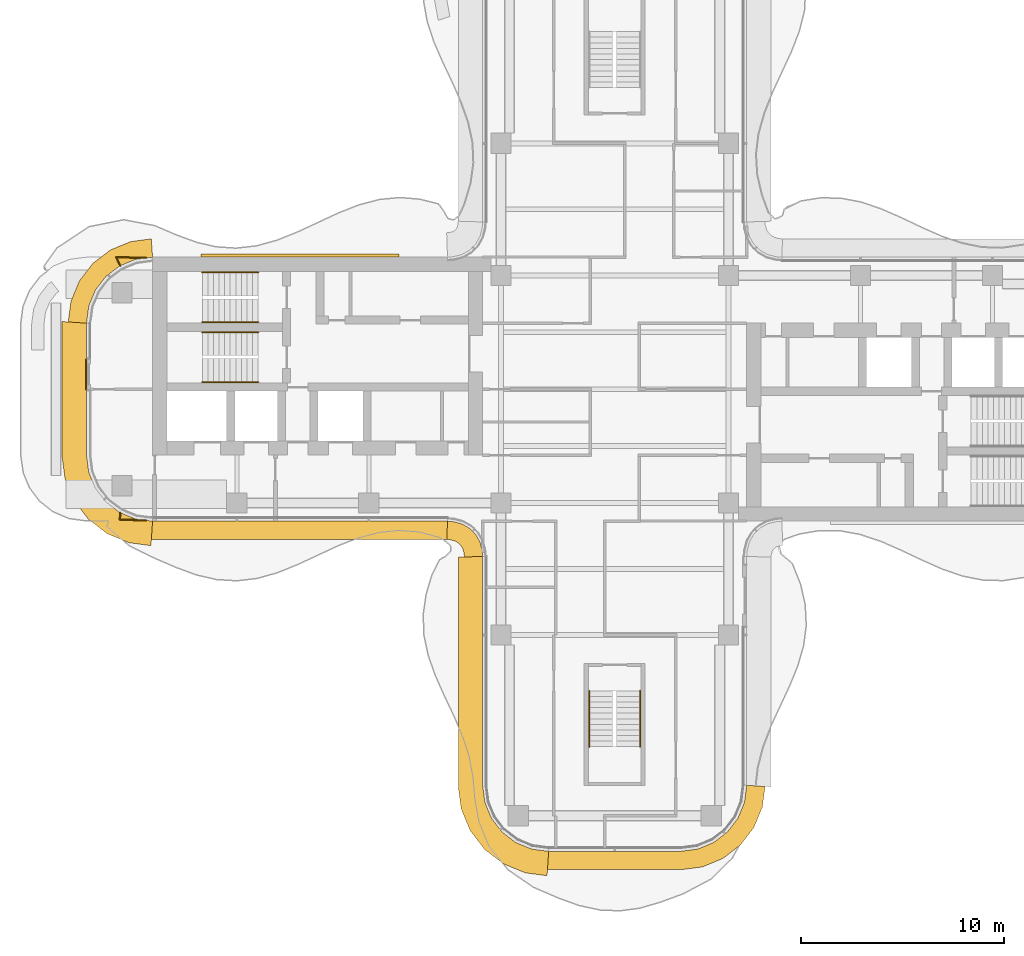
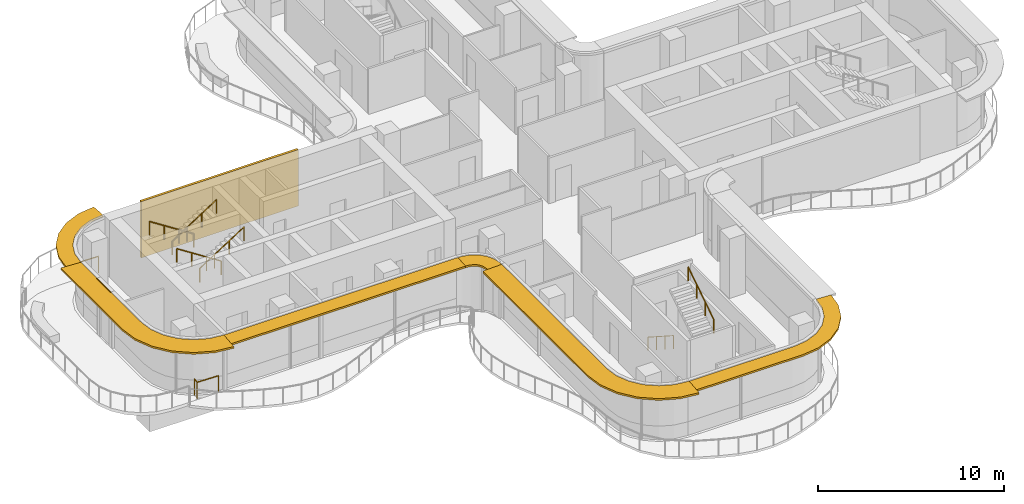
# One storey, part 16 of 17: 8 railings, 6 shading devices, 2 coverings.
"""IFC4 building model written with IfcOpenShell, lengths in metres."""

from ifc_helpers import new_model, si_unit, direction, frame, origin, origin_2d, place, context, subcontext, project, spatial, polyline, rectangle, circle, outline, extrude, source, transform, mapped, material, layer, layer_set, type_object, element, save


model = new_model("IFC4")

# Units and contexts
model_context = context("Model", 3, precision=1e-05, world=origin(), true_north=direction((0.0, 1.0)))
body_context = subcontext(model_context, "Body", "Model", "MODEL_VIEW")
ifc_project = project(units=[si_unit("LENGTHUNIT", "METRE"), si_unit("AREAUNIT", "SQUARE_METRE"), si_unit("VOLUMEUNIT", "CUBIC_METRE"), si_unit("PLANEANGLEUNIT", "RADIAN"), si_unit("MASSUNIT", "GRAM", prefix="KILO")], contexts=[model_context])

# Site, building, storey
site_placement = place(None, origin())
site = spatial("IfcSite", under=ifc_project, at=site_placement, CompositionType="ELEMENT")
building_placement = place(site_placement, origin())
building = spatial("IfcBuilding", under=site, at=building_placement, Name="Trellis Farm Tower", CompositionType="ELEMENT")
storey_placement = place(building_placement, frame((0.0, 0.0, 279.39990234375)))
storey = spatial("IfcBuildingStorey", under=building, at=storey_placement, Name="L62", CompositionType="ELEMENT", Elevation=279.39990234375)

# Covering
ifc_material_1 = material(Name="Sandstone", Category="masonry")
ifc_layer_1 = layer(ifc_material_1, 0.050048828125)
ifc_layer_set_1 = layer_set([ifc_layer_1], Name="STONE CLADDING PANEL")
covering_type_1 = type_object("IfcCoveringType", Name="STONE CLADDING PANEL", PredefinedType="CLADDING", material=ifc_layer_set_1)
covering_1_placement = place(storey_placement, frame((0.0, 0.0, 2.400146484375)))
element("IfcCovering", 1, at=covering_1_placement, inside=storey, type_object=covering_type_1, Name="CD1 02", PredefinedType="CLADDING", context=body_context, shape_type="SweptSolid", body=[
    extrude(outline(polyline([(-26.050048828125, 1.47998046875), (-26.050048828125, -0.02001953125), (-26.0, -0.02001953125), (-26.0, 1.47998046875), (-26.050048828125, 1.47998046875)])), origin(), (0.0, 0.0, 1.0), 1.300048828125),
])

# Railings
ifc_material_2 = material(Name="Stainless steel", Category="steel")
railing_type_1 = type_object("IfcRailingType", Name="STAIR HANDRAIL 900", PredefinedType="HANDRAIL", material=ifc_material_2)
shared_shape_1 = source(origin(), body_context, "Body", "SweptSolid", [
    extrude(circle(Radius=0.02392578125, at=origin_2d()), frame((0.0, 0.0, 0.8759765625), z_axis=(0.0, 0.840503830235, 0.541805602924), x_axis=(-1.0, 0.0, 0.0)), (0.0, 0.0, 1.0), 3.271728515625),
    extrude(circle(Radius=0.02099609375, at=origin_2d()), origin(), (0.0, 0.0, 1.0), 0.851806640625),
    extrude(circle(Radius=0.02099609375, at=origin_2d()), frame((0.0, 0.916748046875, 0.5908203125)), (0.0, 0.0, 1.0), 0.851806640625),
    extrude(circle(Radius=0.02099609375, at=origin_2d()), frame((0.0, 1.833251953125, 1.181884765625)), (0.0, 0.0, 1.0), 0.851806640625),
    extrude(circle(Radius=0.02099609375, at=origin_2d()), frame((0.0, 2.75, 1.772705078125)), (0.0, 0.0, 1.0), 0.851806640625),
])
railing_1_placement = place(storey_placement, frame((1.25, -17.60009765625, 2.12744140625)))
element("IfcRailing", 2, at=railing_1_placement, inside=storey, type_object=railing_type_1, Name="Stair handrail", PredefinedType="HANDRAIL", context=body_context, shape_type="MappedRepresentation", body=[
    mapped(shared_shape_1, transform((0.0, 0.0, 0.0))),
])
shared_shape_2 = source(origin(), body_context, "Body", "SweptSolid", [
    extrude(circle(Radius=0.02392578125, at=origin_2d()), frame((0.0, 0.0, 0.8759765625), z_axis=(0.0, -0.840503830235, 0.541805602924), x_axis=(1.0, 0.0, 0.0)), (0.0, 0.0, 1.0), 3.271728515625),
    extrude(circle(Radius=0.02099609375, at=origin_2d()), origin(), (0.0, 0.0, 1.0), 0.851806640625),
    extrude(circle(Radius=0.02099609375, at=origin_2d()), frame((0.0, -0.916748046875, 0.5908203125)), (0.0, 0.0, 1.0), 0.851806640625),
    extrude(circle(Radius=0.02099609375, at=origin_2d()), frame((0.0, -1.833251953125, 1.181884765625)), (0.0, 0.0, 1.0), 0.851806640625),
    extrude(circle(Radius=0.02099609375, at=origin_2d()), frame((0.0, -2.75, 1.772705078125)), (0.0, 0.0, 1.0), 0.851806640625),
])
railing_2_placement = place(storey_placement, frame((-1.25, -14.85009765625, 0.177490234375)))
element("IfcRailing", 3, at=railing_2_placement, inside=storey, type_object=railing_type_1, Name="Stair handrail", PredefinedType="HANDRAIL", context=body_context, shape_type="MappedRepresentation", body=[
    mapped(shared_shape_2, transform((0.0, 0.0, 0.0))),
])
shared_shape_3 = source(origin(), body_context, "Body", "SweptSolid", [
    extrude(circle(Radius=0.02392578125, at=origin_2d()), frame((0.0, 0.0, 0.8759765625), z_axis=(0.840503830235, 0.0, 0.541805602924), x_axis=(0.0, 1.0, 0.0)), (0.0, 0.0, 1.0), 3.271728515625),
    extrude(circle(Radius=0.02099609375, at=origin_2d()), origin(), (0.0, 0.0, 1.0), 0.851806640625),
    extrude(circle(Radius=0.02099609375, at=origin_2d()), frame((0.916748046875, 0.0, 0.5908203125)), (0.0, 0.0, 1.0), 0.851806640625),
    extrude(circle(Radius=0.02099609375, at=origin_2d()), frame((1.833251953125, 0.0, 1.181884765625)), (0.0, 0.0, 1.0), 0.851806640625),
    extrude(circle(Radius=0.02099609375, at=origin_2d()), frame((2.75, 0.0, 1.772705078125)), (0.0, 0.0, 1.0), 0.851806640625),
])
for number, where, name in (
    (4, (-20.300048828125, 3.300048828125, 2.12744140625), "Stair handrail"),
    (5, (-20.300048828125, 0.35009765625, 2.12744140625), "Stair handrail"),
):
    element("IfcRailing", number, at=place(storey_placement, frame(where)), inside=storey, type_object=railing_type_1, Name=name, PredefinedType="HANDRAIL", context=body_context, shape_type="MappedRepresentation", body=[
        mapped(shared_shape_3, transform((0.0, 0.0, 0.0))),
    ])
shared_shape_4 = source(origin(), body_context, "Body", "SweptSolid", [
    extrude(circle(Radius=0.02392578125, at=origin_2d()), frame((0.0, 0.0, 0.8759765625), z_axis=(-0.840503830235, 0.0, 0.541805602924), x_axis=(0.0, -1.0, 0.0)), (0.0, 0.0, 1.0), 3.271728515625),
    extrude(circle(Radius=0.02099609375, at=origin_2d()), origin(), (0.0, 0.0, 1.0), 0.851806640625),
    extrude(circle(Radius=0.02099609375, at=origin_2d()), frame((-0.916748046875, 0.0, 0.5908203125)), (0.0, 0.0, 1.0), 0.851806640625),
    extrude(circle(Radius=0.02099609375, at=origin_2d()), frame((-1.833251953125, 0.0, 1.181884765625)), (0.0, 0.0, 1.0), 0.851806640625),
    extrude(circle(Radius=0.02099609375, at=origin_2d()), frame((-2.75, 0.0, 1.772705078125)), (0.0, 0.0, 1.0), 0.851806640625),
])
for number, where, name in (
    (6, (-17.550048828125, 5.75, 0.177490234375), "Stair handrail"),
    (7, (-17.550048828125, 2.800048828125, 0.177490234375), "Stair handrail"),
):
    element("IfcRailing", number, at=place(storey_placement, frame(where)), inside=storey, type_object=railing_type_1, Name=name, PredefinedType="HANDRAIL", context=body_context, shape_type="MappedRepresentation", body=[
        mapped(shared_shape_4, transform((0.0, 0.0, 0.0))),
    ])

# Shading devices
ifc_material_3 = material(Name="Aluminium extrusion 6063-T6", Category="aluminium")
ifc_layer_2 = layer(ifc_material_3, 0.1201171875)
ifc_layer_set_2 = layer_set([ifc_layer_2], Name="SUNSHADE BLADE 900")
shading_device_type_1 = type_object("IfcShadingDeviceType", Name="SUNSHADE BLADE 900", PredefinedType="USERDEFINED", material=ifc_layer_set_2)
shared_shape_5 = source(origin(), body_context, "Body", "SweptSolid", [
    extrude(outline(polyline([(-8.2607421875, -7.39990234375), (-8.107666015625, -7.409912109375), (-8.091552734375, -7.412109375), (-7.85595703125, -7.475341796875), (-7.697021484375, -7.567138671875), (-7.567138671875, -7.697021484375), (-7.475341796875, -7.85595703125), (-7.412109375, -8.091552734375), (-7.409912109375, -8.107666015625), (-7.39990234375, -8.2607421875), (-6.5, -8.2314453125), (-6.513916015625, -8.01953125), (-6.527587890625, -7.91552734375), (-6.63671875, -7.508544921875), (-6.846923828125, -7.144287109375), (-7.144287109375, -6.846923828125), (-7.508544921875, -6.63671875), (-7.91552734375, -6.527587890625), (-8.01953125, -6.513916015625), (-8.2314453125, -6.5), (-8.2607421875, -7.39990234375)])), origin(), (0.0, 0.0, 1.0), 0.1201171875),
])
placement = place(storey_placement, frame((0.0, 0.0, 3.5400390625)))
element("IfcShadingDevice", 8, at=placement, inside=storey, type_object=shading_device_type_1, Name="SD1 002", ObjectType="SUNSHADE", PredefinedType="USERDEFINED", context=body_context, shape_type="MappedRepresentation", body=[
    mapped(shared_shape_5, transform((0.0, 0.0, 0.0))),
])
ifc_layer_3 = layer(ifc_material_3, 0.1201171875)
ifc_layer_set_3 = layer_set([ifc_layer_3], Name="SUNSHADE BLADE 1200")
shading_device_type_2 = type_object("IfcShadingDeviceType", Name="SUNSHADE BLADE 1200", PredefinedType="USERDEFINED", material=ifc_layer_set_3)
shared_shape_6 = source(origin(), body_context, "Body", "SweptSolid", [
    extrude(outline(polyline([(-7.699951171875, -8.270751953125), (-7.699951171875, -19.57861328125), (-7.558349609375, -20.654541015625), (-7.11279296875, -21.730224609375), (-6.404052734375, -22.654052734375), (-5.480224609375, -23.36279296875), (-4.404541015625, -23.808349609375), (-3.32861328125, -23.949951171875), (-3.25, -22.75), (-4.091064453125, -22.63916015625), (-4.875, -22.314697265625), (-5.548095703125, -21.798095703125), (-6.064697265625, -21.125), (-6.38916015625, -20.341064453125), (-6.5, -19.5), (-6.5, -8.2314453125), (-7.699951171875, -8.270751953125)])), origin(), (0.0, 0.0, 1.0), 0.1201171875),
])
element("IfcShadingDevice", 9, at=placement, inside=storey, type_object=shading_device_type_2, Name="SD2 003", ObjectType="SUNSHADE", PredefinedType="USERDEFINED", context=body_context, shape_type="MappedRepresentation", body=[
    mapped(shared_shape_6, transform((0.0, 0.0, 0.0))),
])
shared_shape_7 = source(origin(), body_context, "Body", "SweptSolid", [
    extrude(outline(polyline([(-3.30908203125, -23.64990234375), (3.30908203125, -23.64990234375), (4.326171875, -23.51611328125), (5.328857421875, -23.100830078125), (6.18994140625, -22.43994140625), (6.850830078125, -21.578857421875), (7.26611328125, -20.576171875), (7.39990234375, -19.55908203125), (6.5, -19.5), (6.38916015625, -20.341064453125), (6.064697265625, -21.125), (5.548095703125, -21.798095703125), (4.875, -22.314697265625), (4.091064453125, -22.63916015625), (3.25, -22.75), (-3.25, -22.75), (-3.30908203125, -23.64990234375)])), origin(), (0.0, 0.0, 1.0), 0.1201171875),
])
element("IfcShadingDevice", 10, at=placement, inside=storey, type_object=shading_device_type_1, Name="SD1 004", ObjectType="SUNSHADE", PredefinedType="USERDEFINED", context=body_context, shape_type="MappedRepresentation", body=[
    mapped(shared_shape_7, transform((0.0, 0.0, 0.0))),
])

# Railings
ifc_material_4 = material(Name="Stainless steel 316", Category="steel")
railing_type_2 = type_object("IfcRailingType", Name="BALUSTRADE GUARD 1100", PredefinedType="GUARDRAIL", material=ifc_material_4)
shared_shape_8 = source(origin(), body_context, "Body", "SweptSolid", [
    extrude(rectangle(XDim=0.050048828125, YDim=0.050048828125, at=origin_2d()), frame((0.0, 0.0, 1.0751953125), z_axis=(-0.052972117127, -0.998595991784, 0.0), x_axis=(0.998595991784, -0.052972117127, 0.0)), (0.0, 0.0, 1.0), 0.341064453125),
    extrude(rectangle(XDim=0.050048828125, YDim=0.050048828125, at=origin_2d()), frame((-0.01806640625, -0.340576171875, 1.0751953125), z_axis=(0.999503119313, -0.031520064781, 0.0), x_axis=(0.031520064781, 0.999503119313, 0.0)), (0.0, 0.0, 1.0), 1.30908203125),
    extrude(rectangle(XDim=0.0400390625, YDim=0.0400390625, at=origin_2d()), origin(), (0.0, 0.0, 1.0), 1.050048828125),
    extrude(rectangle(XDim=0.0400390625, YDim=0.0400390625, at=origin_2d()), frame((-0.01806640625, -0.340576171875, 0.0)), (0.0, 0.0, 1.0), 1.050048828125),
    extrude(rectangle(XDim=0.0400390625, YDim=0.0400390625, at=origin_2d()), frame((1.290283203125, -0.3818359375, 0.0)), (0.0, 0.0, 1.0), 1.050048828125),
])
railing_3_placement = place(storey_placement, frame((-24.341552734375, -6.078369140625, 0.0)))
element("IfcRailing", 11, at=railing_3_placement, inside=storey, type_object=railing_type_2, Name="GD1 BAL-2", PredefinedType="GUARDRAIL", context=body_context, shape_type="MappedRepresentation", body=[
    mapped(shared_shape_8, transform((0.0, 0.0, 0.0))),
])
shared_shape_9 = source(origin(), body_context, "Body", "SweptSolid", [
    extrude(rectangle(XDim=0.050048828125, YDim=0.050048828125, at=origin_2d()), frame((0.0, 0.0, 1.0751953125), z_axis=(-0.999644808217, 0.026650654848, 0.0), x_axis=(-0.026650654848, -0.999644808217, 0.0)), (0.0, 0.0, 1.0), 1.4931640625),
    extrude(rectangle(XDim=0.050048828125, YDim=0.050048828125, at=origin_2d()), frame((-1.49267578125, 0.039794921875, 1.0751953125), z_axis=(0.432748037993, -0.901514911476, 0.0), x_axis=(0.901514911476, 0.432748037993, 0.0)), (0.0, 0.0, 1.0), 0.4677734375),
    extrude(rectangle(XDim=0.0400390625, YDim=0.0400390625, at=origin_2d()), origin(), (0.0, 0.0, 1.0), 1.050048828125),
    extrude(rectangle(XDim=0.0400390625, YDim=0.0400390625, at=origin_2d()), frame((-1.49267578125, 0.039794921875, 0.0)), (0.0, 0.0, 1.0), 1.050048828125),
    extrude(rectangle(XDim=0.0400390625, YDim=0.0400390625, at=origin_2d()), frame((-1.290283203125, -0.3818359375, 0.0)), (0.0, 0.0, 1.0), 1.050048828125),
])
railing_4_placement = place(storey_placement, frame((-23.05126953125, 6.460205078125, 0.0)))
element("IfcRailing", 12, at=railing_4_placement, inside=storey, type_object=railing_type_2, Name="GD1 BAL-3", PredefinedType="GUARDRAIL", context=body_context, shape_type="MappedRepresentation", body=[
    mapped(shared_shape_9, transform((0.0, 0.0, 0.0))),
])

# Shading devices
shared_shape_10 = source(origin(), body_context, "Body", "SweptSolid", [
    extrude(outline(polyline([(-22.80908203125, -7.39990234375), (-8.2607421875, -7.39990234375), (-8.2314453125, -6.5), (-22.75, -6.5), (-22.80908203125, -7.39990234375)])), origin(), (0.0, 0.0, 1.0), 0.1201171875),
])
element("IfcShadingDevice", 13, at=placement, inside=storey, type_object=shading_device_type_1, Name="SD1 001", ObjectType="SUNSHADE", PredefinedType="USERDEFINED", context=body_context, shape_type="MappedRepresentation", body=[
    mapped(shared_shape_10, transform((0.0, 0.0, 0.0))),
])
shared_shape_11 = source(origin(), body_context, "Body", "SweptSolid", [
    extrude(outline(polyline([(-22.80908203125, 7.39990234375), (-23.826171875, 7.26611328125), (-24.828857421875, 6.850830078125), (-25.68994140625, 6.18994140625), (-26.350830078125, 5.328857421875), (-26.76611328125, 4.326171875), (-26.89990234375, 3.30908203125), (-26.0, 3.25), (-25.88916015625, 4.091064453125), (-25.564697265625, 4.875), (-25.048095703125, 5.548095703125), (-24.375, 6.064697265625), (-23.591064453125, 6.38916015625), (-22.75, 6.5), (-22.80908203125, 7.39990234375)])), origin(), (0.0, 0.0, 1.0), 0.1201171875),
])
element("IfcShadingDevice", 14, at=placement, inside=storey, type_object=shading_device_type_1, Name="SD1 015", ObjectType="SUNSHADE", PredefinedType="USERDEFINED", context=body_context, shape_type="MappedRepresentation", body=[
    mapped(shared_shape_11, transform((0.0, 0.0, 0.0))),
])
shared_shape_12 = source(origin(), body_context, "Body", "SweptSolid", [
    extrude(outline(polyline([(-27.199951171875, 3.32861328125), (-27.199951171875, -3.32861328125), (-27.058349609375, -4.404541015625), (-26.61279296875, -5.480224609375), (-25.904052734375, -6.404052734375), (-24.980224609375, -7.11279296875), (-23.904541015625, -7.558349609375), (-22.82861328125, -7.699951171875), (-22.75, -6.5), (-23.591064453125, -6.38916015625), (-24.375, -6.064697265625), (-25.048095703125, -5.548095703125), (-25.564697265625, -4.875), (-25.88916015625, -4.091064453125), (-26.0, -3.25), (-26.0, 3.25), (-27.199951171875, 3.32861328125)])), origin(), (0.0, 0.0, 1.0), 0.1201171875),
])
element("IfcShadingDevice", 15, at=placement, inside=storey, type_object=shading_device_type_2, Name="SD2 016", ObjectType="SUNSHADE", PredefinedType="USERDEFINED", context=body_context, shape_type="MappedRepresentation", body=[
    mapped(shared_shape_12, transform((0.0, 0.0, 0.0))),
])

# Covering
ifc_material_5 = material(Name="Perforated precast screen (cobogo)", Category="concrete")
ifc_layer_4 = layer(ifc_material_5, 0.14990234375)
ifc_layer_set_4 = layer_set([ifc_layer_4], Name="COBOGO SCREEN PANEL")
covering_type_2 = type_object("IfcCoveringType", Name="COBOGO SCREEN PANEL", PredefinedType="USERDEFINED", material=ifc_layer_set_4)
shared_shape_13 = source(origin(), body_context, "Body", "SweptSolid", [
    extrude(outline(polyline([(-10.61572265625, 6.64990234375), (-20.36572265625, 6.64990234375), (-20.36572265625, 6.5), (-10.61572265625, 6.5), (-10.61572265625, 6.64990234375)])), origin(), (0.0, 0.0, 1.0), 3.7001953125),
])
covering_2_placement = place(storey_placement, origin())
element("IfcCovering", 16, at=covering_2_placement, inside=storey, type_object=covering_type_2, Name="SC1 02", ObjectType="SCREEN", PredefinedType="USERDEFINED", context=body_context, shape_type="MappedRepresentation", body=[
    mapped(shared_shape_13, transform((0.0, 0.0, 0.0))),
])

save(model, "model.ifc")
